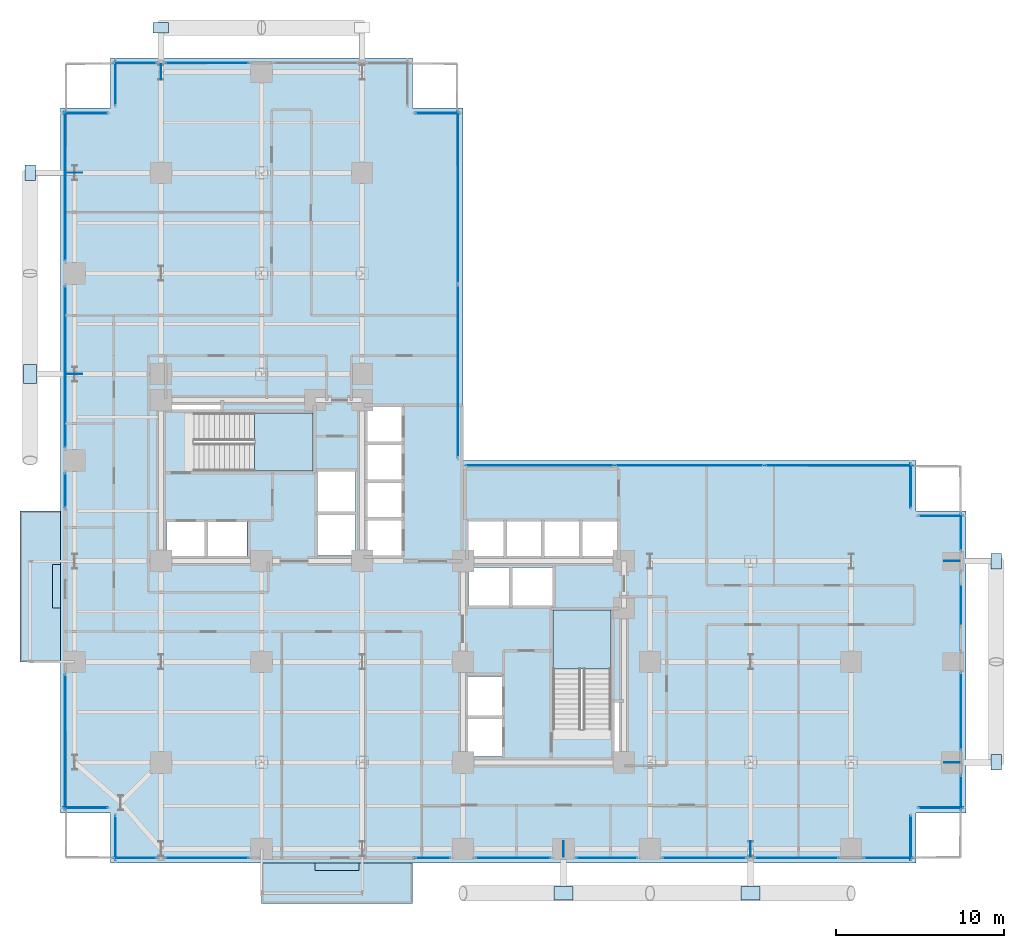
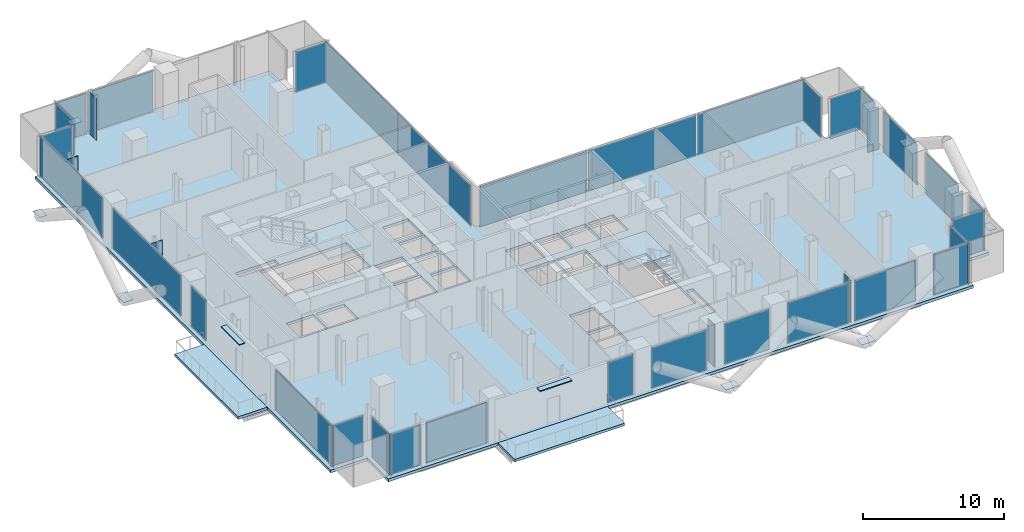
# One storey, part 17 of 25: 48 plates, 5 slabs, 31 elements without a shape of their own.
"""IFC4 building model written with IfcOpenShell, lengths in metres."""

from ifc_helpers import new_model, si_unit, direction, frame, origin, origin_2d, place, context, subcontext, project, spatial, polyline, rectangle, outline, extrude, material, layer, layer_set, type_object, element, aggregate, save


model = new_model("IFC4")

# Units and contexts
model_context = context("Model", 3, precision=1e-05, world=origin(), true_north=direction((0.0, 1.0)))
body_context = subcontext(model_context, "Body", "Model", "MODEL_VIEW")
ifc_project = project(units=[si_unit("LENGTHUNIT", "METRE"), si_unit("AREAUNIT", "SQUARE_METRE"), si_unit("VOLUMEUNIT", "CUBIC_METRE"), si_unit("PLANEANGLEUNIT", "RADIAN"), si_unit("MASSUNIT", "GRAM", prefix="KILO"), si_unit("THERMODYNAMICTEMPERATUREUNIT", "KELVIN"), si_unit("POWERUNIT", "WATT")], contexts=[model_context])

# Site, building, storey
site_placement = place(None, origin())
site = spatial("IfcSite", under=ifc_project, at=site_placement, CompositionType="ELEMENT")
building_placement = place(site_placement, origin())
building = spatial("IfcBuilding", under=site, at=building_placement, Name="Svarakhadi Broadcast Tower", CompositionType="ELEMENT")
storey_placement = place(building_placement, frame((0.0, 0.0, 32.39990234375)))
storey = spatial("IfcBuildingStorey", under=building, at=storey_placement, Name="L06", CompositionType="ELEMENT", Elevation=32.39990234375)

# Curtain wall, plate
ifc_material_1 = material(Name="Anodised Bronze Aluminium AA 6063-T6", Category="aluminium")
ifc_layer_1 = layer(ifc_material_1, 0.219970703125)
ifc_layer_set_1 = layer_set([ifc_layer_1], Name="Anodised Bronze Aluminium AA 6063-T6")
curtain_wall_type = type_object("IfcCurtainWallType", Name="CW_Sys_02", PredefinedType="NOTDEFINED", material=ifc_layer_set_1)
curtain_wall_1_placement = place(storey_placement, origin())
curtain_wall_1 = element("IfcCurtainWall", 1, at=curtain_wall_1_placement, inside=storey, type_object=curtain_wall_type, Name="L06 Unitised Facade Curtain Wall 01", PredefinedType="NOTDEFINED")
ifc_material_2 = material(Name="Double Low-E Laminated Acoustic Glass IGU 36 mm", Category="glass")
ifc_layer_2 = layer(ifc_material_2, 0.035888671875)
ifc_layer_set_2 = layer_set([ifc_layer_2], Name="Double Low-E Laminated Acoustic Glass IGU 36 mm")
plate_type_1 = type_object("IfcPlateType", Name="CW_Sys_02_Pnl", PredefinedType="CURTAIN_PANEL", material=ifc_layer_set_2)
plate_1_placement = place(storey_placement, frame((1.5, 3.300048828125, 0.0751953125), z_axis=(0.0, 0.0, 1.0), x_axis=(-1.0, 0.0, 0.0)))
plate_1 = element("IfcPlate", 2, at=plate_1_placement, type_object=plate_type_1, Name="CW-02 panel 1.1", PredefinedType="CURTAIN_PANEL", context=body_context, shape_type="SweptSolid", body=[
    extrude(rectangle(XDim=2.64990234375, YDim=0.035888671875, at=origin_2d()), origin(), (0.0, 0.0, 1.0), 3.5),
])
aggregate(curtain_wall_1, [plate_1])

curtain_wall_2_placement = place(storey_placement, origin())
curtain_wall_2 = element("IfcCurtainWall", 3, at=curtain_wall_2_placement, inside=storey, type_object=curtain_wall_type, Name="L06 West Curtain Wall 02", PredefinedType="NOTDEFINED")
plate_2_placement = place(storey_placement, frame((0.300048828125, 7.2099609375, 0.0751953125), z_axis=(0.0, 0.0, 1.0), x_axis=(0.0, 1.0, 0.0)))
plate_2 = element("IfcPlate", 4, at=plate_2_placement, type_object=plate_type_1, Name="CW-02 panel 1.1", PredefinedType="CURTAIN_PANEL", context=body_context, shape_type="SweptSolid", body=[
    extrude(rectangle(XDim=8.070068359375, YDim=0.035888671875, at=origin_2d()), origin(), (0.0, 0.0, 1.0), 3.5),
])
aggregate(curtain_wall_2, [plate_2])

curtain_wall_3_placement = place(storey_placement, origin())
curtain_wall_3 = element("IfcCurtainWall", 5, at=curtain_wall_3_placement, inside=storey, type_object=curtain_wall_type, Name="L06 West Curtain Wall 03 Bay 1", PredefinedType="NOTDEFINED")
plate_3_placement = place(storey_placement, frame((0.300048828125, 22.2099609375, 0.0751953125), z_axis=(0.0, 0.0, 1.0), x_axis=(0.0, 1.0, 0.0)))
plate_3 = element("IfcPlate", 6, at=plate_3_placement, type_object=plate_type_1, Name="CW-02 panel 1.1", PredefinedType="CURTAIN_PANEL", context=body_context, shape_type="SweptSolid", body=[
    extrude(rectangle(XDim=2.070068359375, YDim=0.035888671875, at=origin_2d()), origin(), (0.0, 0.0, 1.0), 3.5),
])
aggregate(curtain_wall_3, [plate_3])

curtain_wall_4_placement = place(storey_placement, origin())
curtain_wall_4 = element("IfcCurtainWall", 7, at=curtain_wall_4_placement, inside=storey, type_object=curtain_wall_type, Name="L06 West Curtain Wall 03 Bay 2", PredefinedType="NOTDEFINED")
plate_4_placement = place(storey_placement, frame((0.300048828125, 29.574951171875, 0.0751953125), z_axis=(0.0, 0.0, 1.0), x_axis=(0.0, 1.0, 0.0)))
plate_4 = element("IfcPlate", 8, at=plate_4_placement, type_object=plate_type_1, Name="CW-02 panel 1.1", PredefinedType="CURTAIN_PANEL", context=body_context, shape_type="SweptSolid", body=[
    extrude(rectangle(XDim=9.639892578125, YDim=0.035888671875, at=origin_2d()), origin(), (0.0, 0.0, 1.0), 3.5),
])
aggregate(curtain_wall_4, [plate_4])

curtain_wall_5_placement = place(storey_placement, origin())
curtain_wall_5 = element("IfcCurtainWall", 9, at=curtain_wall_5_placement, inside=storey, type_object=curtain_wall_type, Name="L06 West Curtain Wall 03 Bay 3", PredefinedType="NOTDEFINED")
plate_5_placement = place(storey_placement, frame((0.300048828125, 40.364990234375, 0.0751953125), z_axis=(0.0, 0.0, 1.0), x_axis=(0.0, 1.0, 0.0)))
plate_5 = element("IfcPlate", 10, at=plate_5_placement, type_object=plate_type_1, Name="CW-02 panel 1.1", PredefinedType="CURTAIN_PANEL", context=body_context, shape_type="SweptSolid", body=[
    extrude(rectangle(XDim=8.919921875, YDim=0.035888671875, at=origin_2d()), origin(), (0.0, 0.0, 1.0), 3.5),
])
aggregate(curtain_wall_5, [plate_5])

curtain_wall_6_placement = place(storey_placement, origin())
curtain_wall_6 = element("IfcCurtainWall", 11, at=curtain_wall_6_placement, inside=storey, type_object=curtain_wall_type, Name="L06 Unitised Facade Curtain Wall 04", PredefinedType="NOTDEFINED")
plate_6_placement = place(storey_placement, frame((1.5, 44.699951171875, 0.0751953125), z_axis=(0.0, 0.0, 1.0), x_axis=(1.0, 0.0, 0.0)))
plate_6 = element("IfcPlate", 12, at=plate_6_placement, type_object=plate_type_1, Name="CW-02 panel 1.1", PredefinedType="CURTAIN_PANEL", context=body_context, shape_type="SweptSolid", body=[
    extrude(rectangle(XDim=2.64990234375, YDim=0.035888671875, at=origin_2d()), origin(), (0.0, 0.0, 1.0), 3.5),
])
aggregate(curtain_wall_6, [plate_6])

curtain_wall_7_placement = place(storey_placement, origin())
curtain_wall_7 = element("IfcCurtainWall", 13, at=curtain_wall_7_placement, inside=storey, type_object=curtain_wall_type, Name="L06 Unitised Facade Curtain Wall 05", PredefinedType="NOTDEFINED")
plate_7_placement = place(storey_placement, frame((3.300048828125, 46.5, 0.0751953125), z_axis=(0.0, 0.0, 1.0), x_axis=(0.0, 1.0, 0.0)))
plate_7 = element("IfcPlate", 14, at=plate_7_placement, type_object=plate_type_1, Name="CW-02 panel 1.1", PredefinedType="CURTAIN_PANEL", context=body_context, shape_type="SweptSolid", body=[
    extrude(rectangle(XDim=2.64990234375, YDim=0.035888671875, at=origin_2d()), origin(), (0.0, 0.0, 1.0), 3.5),
])
aggregate(curtain_wall_7, [plate_7])

curtain_wall_8_placement = place(storey_placement, origin())
curtain_wall_8 = element("IfcCurtainWall", 15, at=curtain_wall_8_placement, inside=storey, type_object=curtain_wall_type, Name="L06 Unitised Facade Curtain Wall 06 Bay 1", PredefinedType="NOTDEFINED")
plate_8_placement = place(storey_placement, frame((4.4599609375, 47.699951171875, 0.0751953125), z_axis=(0.0, 0.0, 1.0), x_axis=(1.0, 0.0, 0.0)))
plate_8 = element("IfcPlate", 16, at=plate_8_placement, type_object=plate_type_1, Name="CW-02 panel 1.1", PredefinedType="CURTAIN_PANEL", context=body_context, shape_type="SweptSolid", body=[
    extrude(rectangle(XDim=2.570068359375, YDim=0.035888671875, at=origin_2d()), origin(), (0.0, 0.0, 1.0), 3.5),
])
aggregate(curtain_wall_8, [plate_8])

curtain_wall_9_placement = place(storey_placement, origin())
curtain_wall_9 = element("IfcCurtainWall", 17, at=curtain_wall_9_placement, inside=storey, type_object=curtain_wall_type, Name="L06 Unitised Facade Curtain Wall 06 Bay 2", PredefinedType="NOTDEFINED")
plate_9_placement = place(storey_placement, frame((8.75, 47.699951171875, 0.0751953125), z_axis=(0.0, 0.0, 1.0), x_axis=(1.0, 0.0, 0.0)))
plate_9 = element("IfcPlate", 18, at=plate_9_placement, type_object=plate_type_1, Name="CW-02 panel 1.1", PredefinedType="CURTAIN_PANEL", context=body_context, shape_type="SweptSolid", body=[
    extrude(rectangle(XDim=4.989990234375, YDim=0.035888671875, at=origin_2d()), origin(), (0.0, 0.0, 1.0), 3.5),
])
aggregate(curtain_wall_9, [plate_9])

curtain_wall_10_placement = place(storey_placement, origin())
curtain_wall_10 = element("IfcCurtainWall", 19, at=curtain_wall_10_placement, inside=storey, type_object=curtain_wall_type, Name="L06 Unitised Facade Curtain Wall 08", PredefinedType="NOTDEFINED")
plate_10_placement = place(storey_placement, frame((22.5, 44.699951171875, 0.0751953125), z_axis=(0.0, 0.0, 1.0), x_axis=(1.0, 0.0, 0.0)))
plate_10 = element("IfcPlate", 20, at=plate_10_placement, type_object=plate_type_1, Name="CW-02 panel 1.1", PredefinedType="CURTAIN_PANEL", context=body_context, shape_type="SweptSolid", body=[
    extrude(rectangle(XDim=2.64990234375, YDim=0.035888671875, at=origin_2d()), origin(), (0.0, 0.0, 1.0), 3.5),
])
aggregate(curtain_wall_10, [plate_10])

# Curtain wall, plates
curtain_wall_11_placement = place(storey_placement, origin())
curtain_wall_11 = element("IfcCurtainWall", 21, at=curtain_wall_11_placement, inside=storey, type_object=curtain_wall_type, Name="L06 Unitised Facade Curtain Wall 09", PredefinedType="NOTDEFINED")
plate_11_placement = place(storey_placement, frame((23.699951171875, 39.683837890625, 0.0751953125), z_axis=(0.0, 0.0, 1.0), x_axis=(0.0, -1.0, 0.0)))
plate_11 = element("IfcPlate", 22, at=plate_11_placement, type_object=plate_type_1, Name="CW-02 panel 1.1", PredefinedType="CURTAIN_PANEL", context=body_context, shape_type="SweptSolid", body=[
    extrude(rectangle(XDim=10.282470703125, YDim=0.035888671875, at=origin_2d()), origin(), (0.0, 0.0, 1.0), 3.5),
])
plate_12_placement = place(storey_placement, frame((23.699951171875, 29.316162109375, 0.0751953125), z_axis=(0.0, 0.0, 1.0), x_axis=(0.0, -1.0, 0.0)))
plate_12 = element("IfcPlate", 23, at=plate_12_placement, type_object=plate_type_1, Name="CW-02 panel 2.1", PredefinedType="CURTAIN_PANEL", context=body_context, shape_type="SweptSolid", body=[
    extrude(rectangle(XDim=10.282470703125, YDim=0.035888671875, at=origin_2d()), origin(), (0.0, 0.0, 1.0), 3.5),
])
aggregate(curtain_wall_11, [plate_11, plate_12])

curtain_wall_12_placement = place(storey_placement, origin())
curtain_wall_12 = element("IfcCurtainWall", 24, at=curtain_wall_12_placement, inside=storey, type_object=curtain_wall_type, Name="L06 Unitised Facade Curtain Wall 10", PredefinedType="NOTDEFINED")
plate_13_placement = place(storey_placement, frame((28.581298828125, 23.699951171875, 0.0751953125), z_axis=(0.0, 0.0, 1.0), x_axis=(1.0, 0.0, 0.0)))
plate_13 = element("IfcPlate", 25, at=plate_13_placement, type_object=plate_type_1, Name="CW-02 panel 1.1", PredefinedType="CURTAIN_PANEL", context=body_context, shape_type="SweptSolid", body=[
    extrude(rectangle(XDim=8.8125, YDim=0.035888671875, at=origin_2d()), origin(), (0.0, 0.0, 1.0), 3.5),
])
plate_14_placement = place(storey_placement, frame((37.5, 23.699951171875, 0.0751953125), z_axis=(0.0, 0.0, 1.0), x_axis=(1.0, 0.0, 0.0)))
plate_14 = element("IfcPlate", 26, at=plate_14_placement, type_object=plate_type_1, Name="CW-02 panel 2.1", PredefinedType="CURTAIN_PANEL", context=body_context, shape_type="SweptSolid", body=[
    extrude(rectangle(XDim=8.85498046875, YDim=0.035888671875, at=origin_2d()), origin(), (0.0, 0.0, 1.0), 3.5),
])
plate_15_placement = place(storey_placement, frame((46.418701171875, 23.699951171875, 0.0751953125), z_axis=(0.0, 0.0, 1.0), x_axis=(1.0, 0.0, 0.0)))
plate_15 = element("IfcPlate", 27, at=plate_15_placement, type_object=plate_type_1, Name="CW-02 panel 3.1", PredefinedType="CURTAIN_PANEL", context=body_context, shape_type="SweptSolid", body=[
    extrude(rectangle(XDim=8.8125, YDim=0.035888671875, at=origin_2d()), origin(), (0.0, 0.0, 1.0), 3.5),
])
aggregate(curtain_wall_12, [plate_13, plate_14, plate_15])

# Curtain wall, plate
curtain_wall_13_placement = place(storey_placement, origin())
curtain_wall_13 = element("IfcCurtainWall", 28, at=curtain_wall_13_placement, inside=storey, type_object=curtain_wall_type, Name="L06 Unitised Facade Curtain Wall 11", PredefinedType="NOTDEFINED")
plate_16_placement = place(storey_placement, frame((50.699951171875, 22.5, 0.0751953125), z_axis=(0.0, 0.0, 1.0), x_axis=(0.0, -1.0, 0.0)))
plate_16 = element("IfcPlate", 29, at=plate_16_placement, type_object=plate_type_1, Name="CW-02 panel 1.1", PredefinedType="CURTAIN_PANEL", context=body_context, shape_type="SweptSolid", body=[
    extrude(rectangle(XDim=2.64990234375, YDim=0.035888671875, at=origin_2d()), origin(), (0.0, 0.0, 1.0), 3.5),
])
aggregate(curtain_wall_13, [plate_16])

curtain_wall_14_placement = place(storey_placement, origin())
curtain_wall_14 = element("IfcCurtainWall", 30, at=curtain_wall_14_placement, inside=storey, type_object=curtain_wall_type, Name="L06 Unitised Facade Curtain Wall 12", PredefinedType="NOTDEFINED")
plate_17_placement = place(storey_placement, frame((52.5, 20.699951171875, 0.0751953125), z_axis=(0.0, 0.0, 1.0), x_axis=(1.0, 0.0, 0.0)))
plate_17 = element("IfcPlate", 31, at=plate_17_placement, type_object=plate_type_1, Name="CW-02 panel 1.1", PredefinedType="CURTAIN_PANEL", context=body_context, shape_type="SweptSolid", body=[
    extrude(rectangle(XDim=2.64990234375, YDim=0.035888671875, at=origin_2d()), origin(), (0.0, 0.0, 1.0), 3.5),
])
aggregate(curtain_wall_14, [plate_17])

curtain_wall_15_placement = place(storey_placement, origin())
curtain_wall_15 = element("IfcCurtainWall", 32, at=curtain_wall_15_placement, inside=storey, type_object=curtain_wall_type, Name="L06 Unitised Facade Curtain Wall 13 Bay 1", PredefinedType="NOTDEFINED")
plate_18_placement = place(storey_placement, frame((53.699951171875, 19.739990234375, 0.0751953125), z_axis=(0.0, 0.0, 1.0), x_axis=(0.0, -1.0, 0.0)))
plate_18 = element("IfcPlate", 33, at=plate_18_placement, type_object=plate_type_1, Name="CW-02 panel 1.1", PredefinedType="CURTAIN_PANEL", context=body_context, shape_type="SweptSolid", body=[
    extrude(rectangle(XDim=2.169921875, YDim=0.035888671875, at=origin_2d()), origin(), (0.0, 0.0, 1.0), 3.5),
])
aggregate(curtain_wall_15, [plate_18])

curtain_wall_16_placement = place(storey_placement, origin())
curtain_wall_16 = element("IfcCurtainWall", 34, at=curtain_wall_16_placement, inside=storey, type_object=curtain_wall_type, Name="L06 Unitised Facade Curtain Wall 13 Bay 2", PredefinedType="NOTDEFINED")
plate_19_placement = place(storey_placement, frame((53.699951171875, 15.0, 0.0751953125), z_axis=(0.0, 0.0, 1.0), x_axis=(0.0, -1.0, 0.0)))
plate_19 = element("IfcPlate", 35, at=plate_19_placement, type_object=plate_type_1, Name="CW-02 panel 1.1", PredefinedType="CURTAIN_PANEL", context=body_context, shape_type="SweptSolid", body=[
    extrude(rectangle(XDim=4.68994140625, YDim=0.035888671875, at=origin_2d()), origin(), (0.0, 0.0, 1.0), 3.5),
])
aggregate(curtain_wall_16, [plate_19])

curtain_wall_17_placement = place(storey_placement, origin())
curtain_wall_17 = element("IfcCurtainWall", 36, at=curtain_wall_17_placement, inside=storey, type_object=curtain_wall_type, Name="L06 Unitised Facade Curtain Wall 13 Bay 3", PredefinedType="NOTDEFINED")
plate_20_placement = place(storey_placement, frame((53.699951171875, 9.050048828125, 0.0751953125), z_axis=(0.0, 0.0, 1.0), x_axis=(0.0, -1.0, 0.0)))
plate_20 = element("IfcPlate", 37, at=plate_20_placement, type_object=plate_type_1, Name="CW-02 panel 1.1", PredefinedType="CURTAIN_PANEL", context=body_context, shape_type="SweptSolid", body=[
    extrude(rectangle(XDim=4.590087890625, YDim=0.035888671875, at=origin_2d()), origin(), (0.0, 0.0, 1.0), 3.5),
])
aggregate(curtain_wall_17, [plate_20])

curtain_wall_18_placement = place(storey_placement, origin())
curtain_wall_18 = element("IfcCurtainWall", 38, at=curtain_wall_18_placement, inside=storey, type_object=curtain_wall_type, Name="L06 Unitised Facade Curtain Wall 13 Bay 4", PredefinedType="NOTDEFINED")
plate_21_placement = place(storey_placement, frame((53.699951171875, 4.2099609375, 0.0751953125), z_axis=(0.0, 0.0, 1.0), x_axis=(0.0, -1.0, 0.0)))
plate_21 = element("IfcPlate", 39, at=plate_21_placement, type_object=plate_type_1, Name="CW-02 panel 1.1", PredefinedType="CURTAIN_PANEL", context=body_context, shape_type="SweptSolid", body=[
    extrude(rectangle(XDim=2.070068359375, YDim=0.035888671875, at=origin_2d()), origin(), (0.0, 0.0, 1.0), 3.5),
])
aggregate(curtain_wall_18, [plate_21])

curtain_wall_19_placement = place(storey_placement, origin())
curtain_wall_19 = element("IfcCurtainWall", 40, at=curtain_wall_19_placement, inside=storey, type_object=curtain_wall_type, Name="L06 Unitised Facade Curtain Wall 14", PredefinedType="NOTDEFINED")
plate_22_placement = place(storey_placement, frame((52.5, 3.300048828125, 0.0751953125), z_axis=(0.0, 0.0, 1.0), x_axis=(-1.0, 0.0, 0.0)))
plate_22 = element("IfcPlate", 41, at=plate_22_placement, type_object=plate_type_1, Name="CW-02 panel 1.1", PredefinedType="CURTAIN_PANEL", context=body_context, shape_type="SweptSolid", body=[
    extrude(rectangle(XDim=2.64990234375, YDim=0.035888671875, at=origin_2d()), origin(), (0.0, 0.0, 1.0), 3.5),
])
aggregate(curtain_wall_19, [plate_22])

curtain_wall_20_placement = place(storey_placement, origin())
curtain_wall_20 = element("IfcCurtainWall", 42, at=curtain_wall_20_placement, inside=storey, type_object=curtain_wall_type, Name="L06 Unitised Facade Curtain Wall 15", PredefinedType="NOTDEFINED")
plate_23_placement = place(storey_placement, frame((50.699951171875, 1.5, 0.0751953125), z_axis=(0.0, 0.0, 1.0), x_axis=(0.0, -1.0, 0.0)))
plate_23 = element("IfcPlate", 43, at=plate_23_placement, type_object=plate_type_1, Name="CW-02 panel 1.1", PredefinedType="CURTAIN_PANEL", context=body_context, shape_type="SweptSolid", body=[
    extrude(rectangle(XDim=2.64990234375, YDim=0.035888671875, at=origin_2d()), origin(), (0.0, 0.0, 1.0), 3.5),
])
aggregate(curtain_wall_20, [plate_23])

curtain_wall_21_placement = place(storey_placement, origin())
curtain_wall_21 = element("IfcCurtainWall", 44, at=curtain_wall_21_placement, inside=storey, type_object=curtain_wall_type, Name="L06 South Curtain Wall 16 Bay 1", PredefinedType="NOTDEFINED")
plate_24_placement = place(storey_placement, frame((49.364990234375, 0.300048828125, 0.0751953125), z_axis=(0.0, 0.0, 1.0), x_axis=(-1.0, 0.0, 0.0)))
plate_24 = element("IfcPlate", 45, at=plate_24_placement, type_object=plate_type_1, Name="CW-02 panel 1.1", PredefinedType="CURTAIN_PANEL", context=body_context, shape_type="SweptSolid", body=[
    extrude(rectangle(XDim=2.919921875, YDim=0.035888671875, at=origin_2d()), origin(), (0.0, 0.0, 1.0), 3.5),
])
aggregate(curtain_wall_21, [plate_24])

curtain_wall_22_placement = place(storey_placement, origin())
curtain_wall_22 = element("IfcCurtainWall", 46, at=curtain_wall_22_placement, inside=storey, type_object=curtain_wall_type, Name="L06 South Curtain Wall 16 Bay 2", PredefinedType="NOTDEFINED")
plate_25_placement = place(storey_placement, frame((43.89990234375, 0.300048828125, 0.0751953125), z_axis=(0.0, 0.0, 1.0), x_axis=(-1.0, 0.0, 0.0)))
plate_25 = element("IfcPlate", 47, at=plate_25_placement, type_object=plate_type_1, Name="CW-02 panel 1.1", PredefinedType="CURTAIN_PANEL", context=body_context, shape_type="SweptSolid", body=[
    extrude(rectangle(XDim=4.989990234375, YDim=0.035888671875, at=origin_2d()), origin(), (0.0, 0.0, 1.0), 3.5),
])
aggregate(curtain_wall_22, [plate_25])

curtain_wall_23_placement = place(storey_placement, origin())
curtain_wall_23 = element("IfcCurtainWall", 48, at=curtain_wall_23_placement, inside=storey, type_object=curtain_wall_type, Name="L06 South Curtain Wall 16 Bay 3", PredefinedType="NOTDEFINED")
plate_26_placement = place(storey_placement, frame((38.39990234375, 0.300048828125, 0.0751953125), z_axis=(0.0, 0.0, 1.0), x_axis=(-1.0, 0.0, 0.0)))
plate_26 = element("IfcPlate", 49, at=plate_26_placement, type_object=plate_type_1, Name="CW-02 panel 1.1", PredefinedType="CURTAIN_PANEL", context=body_context, shape_type="SweptSolid", body=[
    extrude(rectangle(XDim=4.989990234375, YDim=0.035888671875, at=origin_2d()), origin(), (0.0, 0.0, 1.0), 3.5),
])
aggregate(curtain_wall_23, [plate_26])

curtain_wall_24_placement = place(storey_placement, origin())
curtain_wall_24 = element("IfcCurtainWall", 50, at=curtain_wall_24_placement, inside=storey, type_object=curtain_wall_type, Name="L06 South Curtain Wall 16 Bay 4", PredefinedType="NOTDEFINED")
plate_27_placement = place(storey_placement, frame((32.574951171875, 0.300048828125, 0.0751953125), z_axis=(0.0, 0.0, 1.0), x_axis=(-1.0, 0.0, 0.0)))
plate_27 = element("IfcPlate", 51, at=plate_27_placement, type_object=plate_type_1, Name="CW-02 panel 1.1", PredefinedType="CURTAIN_PANEL", context=body_context, shape_type="SweptSolid", body=[
    extrude(rectangle(XDim=3.639892578125, YDim=0.035888671875, at=origin_2d()), origin(), (0.0, 0.0, 1.0), 3.5),
])
aggregate(curtain_wall_24, [plate_27])

curtain_wall_25_placement = place(storey_placement, origin())
curtain_wall_25 = element("IfcCurtainWall", 52, at=curtain_wall_25_placement, inside=storey, type_object=curtain_wall_type, Name="L06 South Curtain Wall 16 Bay 5", PredefinedType="NOTDEFINED")
plate_28_placement = place(storey_placement, frame((27.0, 0.300048828125, 0.0751953125), z_axis=(0.0, 0.0, 1.0), x_axis=(-1.0, 0.0, 0.0)))
plate_28 = element("IfcPlate", 53, at=plate_28_placement, type_object=plate_type_1, Name="CW-02 panel 1.1", PredefinedType="CURTAIN_PANEL", context=body_context, shape_type="SweptSolid", body=[
    extrude(rectangle(XDim=4.489990234375, YDim=0.035888671875, at=origin_2d()), origin(), (0.0, 0.0, 1.0), 3.5),
])
aggregate(curtain_wall_25, [plate_28])

curtain_wall_26_placement = place(storey_placement, origin())
curtain_wall_26 = element("IfcCurtainWall", 54, at=curtain_wall_26_placement, inside=storey, type_object=curtain_wall_type, Name="L06 South Curtain Wall 16 Bay 6", PredefinedType="NOTDEFINED")
plate_29_placement = place(storey_placement, frame((22.2099609375, 0.300048828125, 0.0751953125), z_axis=(0.0, 0.0, 1.0), x_axis=(-1.0, 0.0, 0.0)))
plate_29 = element("IfcPlate", 55, at=plate_29_placement, type_object=plate_type_1, Name="CW-02 panel 1.1", PredefinedType="CURTAIN_PANEL", context=body_context, shape_type="SweptSolid", body=[
    extrude(rectangle(XDim=2.070068359375, YDim=0.035888671875, at=origin_2d()), origin(), (0.0, 0.0, 1.0), 3.5),
])
aggregate(curtain_wall_26, [plate_29])

curtain_wall_27_placement = place(storey_placement, origin())
curtain_wall_27 = element("IfcCurtainWall", 56, at=curtain_wall_27_placement, inside=storey, type_object=curtain_wall_type, Name="L06 South Curtain Wall 17 Bay 1", PredefinedType="NOTDEFINED")
plate_30_placement = place(storey_placement, frame((8.75, 0.300048828125, 0.0751953125), z_axis=(0.0, 0.0, 1.0), x_axis=(-1.0, 0.0, 0.0)))
plate_30 = element("IfcPlate", 57, at=plate_30_placement, type_object=plate_type_1, Name="CW-02 panel 1.1", PredefinedType="CURTAIN_PANEL", context=body_context, shape_type="SweptSolid", body=[
    extrude(rectangle(XDim=4.989990234375, YDim=0.035888671875, at=origin_2d()), origin(), (0.0, 0.0, 1.0), 3.5),
])
aggregate(curtain_wall_27, [plate_30])

curtain_wall_28_placement = place(storey_placement, origin())
curtain_wall_28 = element("IfcCurtainWall", 58, at=curtain_wall_28_placement, inside=storey, type_object=curtain_wall_type, Name="L06 South Curtain Wall 17 Bay 2", PredefinedType="NOTDEFINED")
plate_31_placement = place(storey_placement, frame((4.4599609375, 0.300048828125, 0.0751953125), z_axis=(0.0, 0.0, 1.0), x_axis=(-1.0, 0.0, 0.0)))
plate_31 = element("IfcPlate", 59, at=plate_31_placement, type_object=plate_type_1, Name="CW-02 panel 1.1", PredefinedType="CURTAIN_PANEL", context=body_context, shape_type="SweptSolid", body=[
    extrude(rectangle(XDim=2.570068359375, YDim=0.035888671875, at=origin_2d()), origin(), (0.0, 0.0, 1.0), 3.5),
])
aggregate(curtain_wall_28, [plate_31])

curtain_wall_29_placement = place(storey_placement, origin())
curtain_wall_29 = element("IfcCurtainWall", 60, at=curtain_wall_29_placement, inside=storey, type_object=curtain_wall_type, Name="L06 Unitised Facade Curtain Wall 18", PredefinedType="NOTDEFINED")
plate_32_placement = place(storey_placement, frame((3.300048828125, 1.5, 0.0751953125), z_axis=(0.0, 0.0, 1.0), x_axis=(0.0, 1.0, 0.0)))
plate_32 = element("IfcPlate", 61, at=plate_32_placement, type_object=plate_type_1, Name="CW-02 panel 1.1", PredefinedType="CURTAIN_PANEL", context=body_context, shape_type="SweptSolid", body=[
    extrude(rectangle(XDim=2.64990234375, YDim=0.035888671875, at=origin_2d()), origin(), (0.0, 0.0, 1.0), 3.5),
])
aggregate(curtain_wall_29, [plate_32])

# Plates
ifc_material_3 = material(Name="Steel S460ML (IS 2062 E450BR)", Category="steel")
ifc_layer_3 = layer(ifc_material_3, 0.035888671875)
ifc_layer_set_3 = layer_set([ifc_layer_3], Name="Steel S460ML (IS 2062 E450BR)")
plate_type_2 = type_object("IfcPlateType", Name="Node_Gusset_N01", PredefinedType="SHEET", material=ifc_layer_set_3)
for number, where, z_axis, x_axis, name in (
    (62, (30.0, -1.800048828125, -0.25), (0.0, 0.0, 1.0), (1.0, 0.0, 0.0), "L06 Exoskeleton Gusset Node Plate S01"),
    (63, (41.14990234375, -1.800048828125, -0.25), (0.0, 0.0, 1.0), (1.0, 0.0, 0.0), "L06 Exoskeleton Gusset Node Plate S02"),
    (64, (-1.800048828125, 29.14990234375, -0.25), (0.0, 0.0, 1.0), (0.0, 1.0, 0.0), "L06 Exoskeleton Gusset Node Plate W03"),
):
    element("IfcPlate", number, at=place(storey_placement, frame(where, z_axis=z_axis, x_axis=x_axis)), inside=storey, type_object=plate_type_2, Name=name, PredefinedType="SHEET", context=body_context, shape_type="SweptSolid", body=[
        extrude(rectangle(XDim=1.14990234375, YDim=0.780029296875, at=origin_2d()), origin(), (0.0, 0.0, 1.0), 0.035888671875),
    ])
ifc_layer_4 = layer(ifc_material_3, 0.02587890625)
ifc_layer_set_4 = layer_set([ifc_layer_4], Name="Steel S460ML (IS 2062 E450BR)")
plate_type_3 = type_object("IfcPlateType", Name="Node_Gusset_N07", PredefinedType="SHEET", material=ifc_layer_set_4)
for number, where, z_axis, x_axis, name in (
    (65, (-1.800048828125, 41.14990234375, -0.249755859375), (0.0, 0.0, 1.0), (0.0, 1.0, 0.0), "L06 Exoskeleton Gusset Node Plate W04"),
    (66, (55.800048828125, 6.0, -0.249755859375), (0.0, 0.0, 1.0), (0.0, 1.0, 0.0), "L06 Exoskeleton Gusset Node Plate E05"),
    (67, (55.800048828125, 18.0, -0.249755859375), (0.0, 0.0, 1.0), (0.0, 1.0, 0.0), "L06 Exoskeleton Gusset Node Plate E06"),
    (68, (6.0, 49.800048828125, -0.249755859375), (0.0, 0.0, 1.0), (1.0, 0.0, 0.0), "L06 Exoskeleton Gusset Node Plate N07"),
):
    element("IfcPlate", number, at=place(storey_placement, frame(where, z_axis=z_axis, x_axis=x_axis)), inside=storey, type_object=plate_type_3, Name=name, PredefinedType="SHEET", context=body_context, shape_type="SweptSolid", body=[
        extrude(rectangle(XDim=0.919921875, YDim=0.6201171875, at=origin_2d()), origin(), (0.0, 0.0, 1.0), 0.02587890625),
    ])
for number, where, z_axis, x_axis, name in (
    (69, (30.0, 0.85009765625, -0.6279296875), (0.0, 0.0, 1.0), (0.0, 1.0, 0.0), "L06 Brace End Connection Gusset Plate N-07-E0019"),
    (70, (41.14990234375, 0.85009765625, -0.6279296875), (0.0, 0.0, 1.0), (0.0, 1.0, 0.0), "L06 Brace End Connection Gusset Plate N-07-E0020"),
    (71, (0.85009765625, 29.14990234375, -0.6279296875), (0.0, 0.0, 1.0), (1.0, 0.0, 0.0), "L06 Brace End Connection Gusset Plate N-07-E0021"),
    (72, (0.85009765625, 41.14990234375, -0.6279296875), (0.0, 0.0, 1.0), (1.0, 0.0, 0.0), "L06 Brace End Connection Gusset Plate N-07-E0022"),
    (73, (53.14990234375, 6.0, -0.6279296875), (0.0, 0.0, 1.0), (1.0, 0.0, 0.0), "L06 Brace End Connection Gusset Plate N-07-E0023"),
    (74, (53.14990234375, 18.0, -0.6279296875), (0.0, 0.0, 1.0), (1.0, 0.0, 0.0), "L06 Brace End Connection Gusset Plate N-07-E0024"),
    (75, (6.0, 47.14990234375, -0.6279296875), (0.0, 0.0, 1.0), (0.0, 1.0, 0.0), "L06 Brace End Connection Gusset Plate N-07-E0025"),
):
    element("IfcPlate", number, at=place(storey_placement, frame(where, z_axis=z_axis, x_axis=x_axis)), inside=storey, type_object=plate_type_3, Name=name, PredefinedType="SHEET", context=body_context, shape_type="SweptSolid", body=[
        extrude(rectangle(XDim=0.919921875, YDim=0.02587890625, at=origin_2d()), origin(), (0.0, 0.0, 1.0), 4.300048828125),
    ])

# Slab
ifc_material_4 = material(Name="Concrete C40/50 (IS 456 M50)", Category="concrete")
ifc_layer_5 = layer(ifc_material_4, 0.25)
ifc_layer_set_5 = layer_set([ifc_layer_5], Name="Concrete C40/50 (IS 456 M50)")
slab_type_1 = type_object("IfcSlabType", Name="Slab_Floor_250", PredefinedType="FLOOR", material=ifc_layer_set_5)
slab_1_placement = place(storey_placement, frame((0.0, 0.0, -0.25)))
element("IfcSlab", 76, at=slab_1_placement, inside=storey, type_object=slab_type_1, Name="L06 Structural Floor Slab", PredefinedType="FLOOR", context=body_context, shape_type="SweptSolid", body=[
    extrude(outline(polyline([(3.0, 0.0), (51.0, 0.0), (51.0, 3.0), (54.0, 3.0), (54.0, 21.0), (51.0, 21.0), (51.0, 24.0), (24.0, 24.0), (24.0, 45.0), (21.0, 45.0), (21.0, 48.0), (3.0, 48.0), (3.0, 45.0), (0.0, 45.0), (0.0, 3.0), (3.0, 3.0), (3.0, 0.0)]), holes=[polyline([(7.97998046875, 23.360107421875), (15.080078125, 23.360107421875), (15.080078125, 26.840087890625), (7.97998046875, 26.840087890625), (7.97998046875, 23.360107421875)]), polyline([(32.840087890625, 7.97998046875), (32.840087890625, 15.080078125), (29.360107421875, 15.080078125), (29.360107421875, 7.97998046875), (32.840087890625, 7.97998046875)]), polyline([(6.340087890625, 18.2900390625), (8.610107421875, 18.2900390625), (8.610107421875, 20.330078125), (6.340087890625, 20.330078125), (6.340087890625, 18.2900390625)]), polyline([(8.7900390625, 18.2900390625), (11.1298828125, 18.2900390625), (11.1298828125, 20.330078125), (8.7900390625, 20.330078125), (8.7900390625, 18.2900390625)]), polyline([(24.2900390625, 6.340087890625), (26.330078125, 6.340087890625), (26.330078125, 8.610107421875), (24.2900390625, 8.610107421875), (24.2900390625, 6.340087890625)]), polyline([(24.2900390625, 8.7900390625), (26.330078125, 8.7900390625), (26.330078125, 11.1298828125), (24.2900390625, 11.1298828125), (24.2900390625, 8.7900390625)]), polyline([(6.340087890625, 26.989990234375), (9.610107421875, 26.989990234375), (9.610107421875, 27.530029296875), (6.340087890625, 27.530029296875), (6.340087890625, 26.989990234375)]), polyline([(32.989990234375, 6.340087890625), (33.530029296875, 6.340087890625), (33.530029296875, 9.610107421875), (32.989990234375, 9.610107421875), (32.989990234375, 6.340087890625)]), polyline([(15.340087890625, 18.340087890625), (17.610107421875, 18.340087890625), (17.610107421875, 20.760009765625), (15.340087890625, 20.760009765625), (15.340087890625, 18.340087890625)]), polyline([(15.340087890625, 20.93994140625), (17.610107421875, 20.93994140625), (17.610107421875, 23.360107421875), (15.340087890625, 23.360107421875), (15.340087890625, 20.93994140625)]), polyline([(24.340087890625, 15.340087890625), (26.760009765625, 15.340087890625), (26.760009765625, 17.610107421875), (24.340087890625, 17.610107421875), (24.340087890625, 15.340087890625)]), polyline([(26.93994140625, 15.340087890625), (29.360107421875, 15.340087890625), (29.360107421875, 17.610107421875), (26.93994140625, 17.610107421875), (26.93994140625, 15.340087890625)]), polyline([(18.239990234375, 18.340087890625), (20.360107421875, 18.340087890625), (20.360107421875, 20.429931640625), (18.239990234375, 20.429931640625), (18.239990234375, 18.340087890625)]), polyline([(18.239990234375, 20.610107421875), (20.360107421875, 20.610107421875), (20.360107421875, 22.679931640625), (18.239990234375, 22.679931640625), (18.239990234375, 20.610107421875)]), polyline([(18.239990234375, 22.860107421875), (20.360107421875, 22.860107421875), (20.360107421875, 24.929931640625), (18.239990234375, 24.929931640625), (18.239990234375, 22.860107421875)]), polyline([(18.239990234375, 25.110107421875), (20.360107421875, 25.110107421875), (20.360107421875, 27.2099609375), (18.239990234375, 27.2099609375), (18.239990234375, 25.110107421875)]), polyline([(24.340087890625, 18.239990234375), (26.429931640625, 18.239990234375), (26.429931640625, 20.360107421875), (24.340087890625, 20.360107421875), (24.340087890625, 18.239990234375)]), polyline([(26.610107421875, 18.239990234375), (28.679931640625, 18.239990234375), (28.679931640625, 20.360107421875), (26.610107421875, 20.360107421875), (26.610107421875, 18.239990234375)]), polyline([(28.860107421875, 18.239990234375), (30.929931640625, 18.239990234375), (30.929931640625, 20.360107421875), (28.860107421875, 20.360107421875), (28.860107421875, 18.239990234375)]), polyline([(31.110107421875, 18.239990234375), (33.2099609375, 18.239990234375), (33.2099609375, 20.360107421875), (31.110107421875, 20.360107421875), (31.110107421875, 18.239990234375)])]), origin(), (0.0, 0.0, 1.0), 0.25),
])

# Stair, slab
stair_type = type_object("IfcStairType", Name="Stair_Exit_Core", PredefinedType="HALF_TURN_STAIR", material=ifc_material_4)
stair_1_placement = place(storey_placement, origin())
stair_1 = element("IfcStair", 77, at=stair_1_placement, inside=storey, type_object=stair_type, Name="L06 West Core Protected Exit Stair ST-01", PredefinedType="HALF_TURN_STAIR")
ifc_layer_6 = layer(ifc_material_4, 0.199951171875)
ifc_layer_set_6 = layer_set([ifc_layer_6], Name="Concrete C40/50 (IS 456 M50)")
slab_type_2 = type_object("IfcSlabType", Name="Slab_Stair_Land", PredefinedType="LANDING", material=ifc_layer_set_6)
slab_2_placement = place(storey_placement, frame((0.0, 0.0, 1.75)))
slab_2 = element("IfcSlab", 78, at=slab_2_placement, type_object=slab_type_2, Name="ST-01 landing 1", PredefinedType="LANDING", context=body_context, shape_type="SweptSolid", body=[
    extrude(outline(polyline([(11.580078125, 23.360107421875), (15.080078125, 23.360107421875), (15.080078125, 26.840087890625), (11.580078125, 26.840087890625), (11.580078125, 23.360107421875)])), origin(), (0.0, 0.0, 1.0), 0.2001953125),
])
aggregate(stair_1, [slab_2])

stair_2_placement = place(storey_placement, origin())
stair_2 = element("IfcStair", 79, at=stair_2_placement, inside=storey, type_object=stair_type, Name="L06 East Core Protected Exit Stair ST-02", PredefinedType="HALF_TURN_STAIR")
slab_3_placement = place(storey_placement, frame((0.0, 0.0, 1.75)))
slab_3 = element("IfcSlab", 80, at=slab_3_placement, type_object=slab_type_2, Name="ST-02 landing 1", PredefinedType="LANDING", context=body_context, shape_type="SweptSolid", body=[
    extrude(outline(polyline([(32.840087890625, 11.580078125), (32.840087890625, 15.080078125), (29.360107421875, 15.080078125), (29.360107421875, 11.580078125), (32.840087890625, 11.580078125)])), origin(), (0.0, 0.0, 1.0), 0.2001953125),
])
aggregate(stair_2, [slab_3])

# Slabs
ifc_layer_7 = layer(ifc_material_4, 0.22509765625)
ifc_layer_set_7 = layer_set([ifc_layer_7], Name="Concrete C40/50 (IS 456 M50)")
slab_type_3 = type_object("IfcSlabType", Name="Slab_TreeBalcony", PredefinedType="FLOOR", material=ifc_layer_set_7)
slab_4_placement = place(storey_placement, frame((0.0, 0.0, -0.224853515625)))
element("IfcSlab", 81, at=slab_4_placement, inside=storey, type_object=slab_type_3, Name="L06 Planted Tree Balcony Slab BAL-S", PredefinedType="FLOOR", context=body_context, shape_type="SweptSolid", body=[
    extrude(outline(polyline([(12.0, -2.39990234375), (21.0, -2.39990234375), (21.0, 0.0), (12.0, 0.0), (12.0, -2.39990234375)])), origin(), (0.0, 0.0, 1.0), 0.224853515625),
])
slab_5_placement = place(storey_placement, frame((0.0, 0.0, -0.224853515625)))
element("IfcSlab", 82, at=slab_5_placement, inside=storey, type_object=slab_type_3, Name="L06 Planted Tree Balcony Slab BAL-W", PredefinedType="FLOOR", context=body_context, shape_type="SweptSolid", body=[
    extrude(outline(polyline([(-2.39990234375, 12.0), (0.0, 12.0), (0.0, 21.0), (-2.39990234375, 21.0), (-2.39990234375, 12.0)])), origin(), (0.0, 0.0, 1.0), 0.224853515625),
])

# Plates
ifc_layer_8 = layer(ifc_material_1, 0.080078125)
ifc_layer_set_8 = layer_set([ifc_layer_8], Name="Anodised Bronze Aluminium AA 6063-T6")
plate_type_4 = type_object("IfcPlateType", Name="Sunshade_Fin_SS01", PredefinedType="USERDEFINED", material=ifc_layer_set_8)
for number, where, z_axis, x_axis, name in (
    (83, (16.5, -0.22509765625, 3.570068359375), (0.0, 0.0, 1.0), (1.0, 0.0, 0.0), "L06 South Bronze Brise-Soleil Sunshade SS-01"),
    (84, (-0.22509765625, 16.5, 3.570068359375), (0.0, 0.0, 1.0), (0.0, 1.0, 0.0), "L06 West Bronze Brise-Soleil Sunshade SS-01"),
):
    element("IfcPlate", number, at=place(storey_placement, frame(where, z_axis=z_axis, x_axis=x_axis)), inside=storey, type_object=plate_type_4, Name=name, ObjectType="SUNSHADE", PredefinedType="USERDEFINED", context=body_context, shape_type="SweptSolid", body=[
        extrude(rectangle(XDim=2.60009765625, YDim=0.449951171875, at=origin_2d()), origin(), (0.0, 0.0, 1.0), 0.080078125),
    ])

save(model, "model.ifc")
